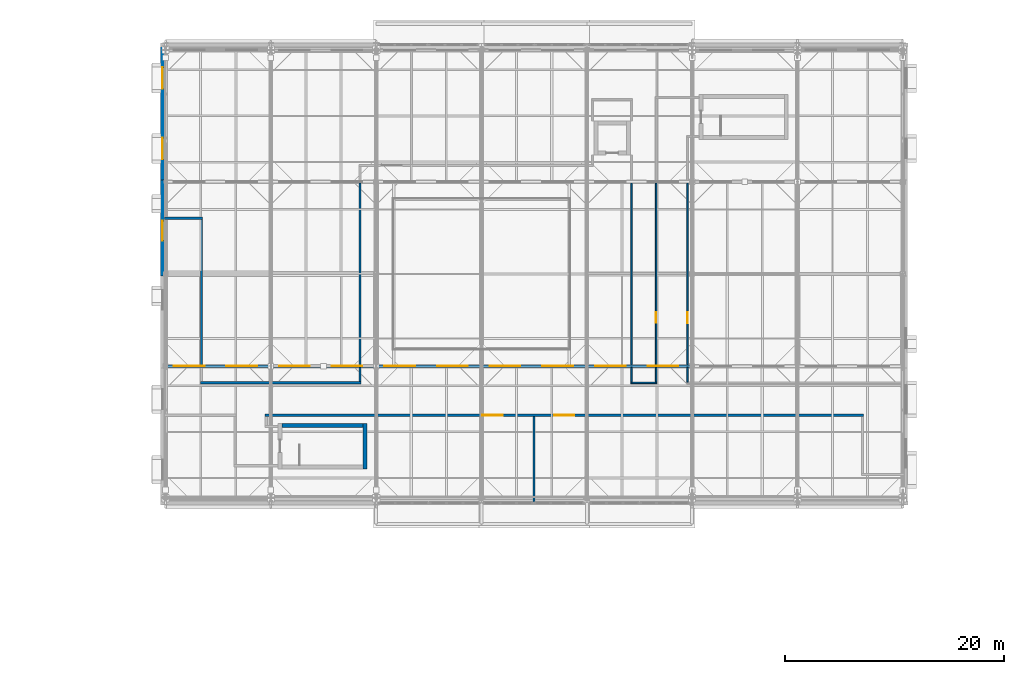
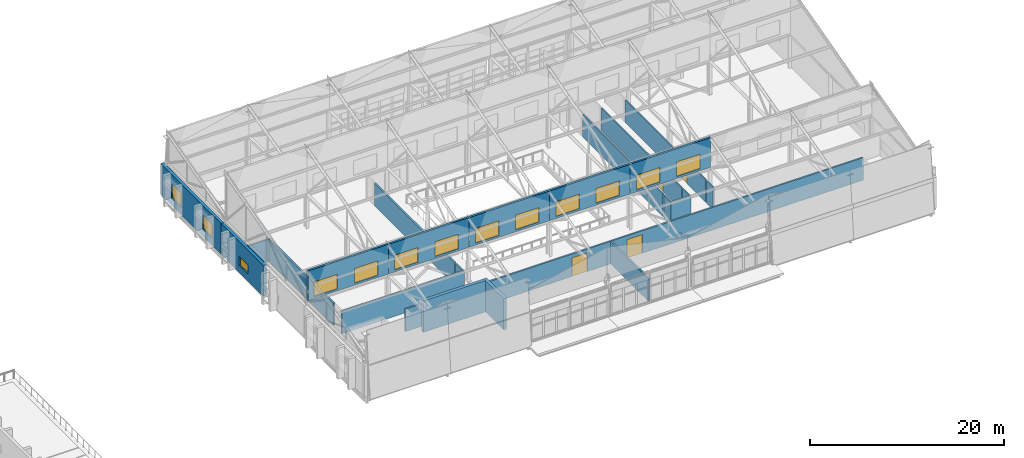
# One storey, part 80 of 89: 23 walls, 13 windows, 4 doors, 17 openings.
"""IFC4 building model written with IfcOpenShell, lengths in metres."""

from ifc_helpers import new_model, si_unit, direction, frame, frame_2d, origin, place, context, subcontext, project, spatial, rectangle, extrude, material, layer, layer_set, type_object, element, fill, save


model = new_model("IFC4")

# Units and contexts
model_context = context("Model", 3, precision=1e-05, world=origin(), true_north=direction((0.0, 1.0)))
body_context = subcontext(model_context, "Body", "Model", "MODEL_VIEW")
ifc_project = project(units=[si_unit("LENGTHUNIT", "METRE"), si_unit("AREAUNIT", "SQUARE_METRE"), si_unit("VOLUMEUNIT", "CUBIC_METRE"), si_unit("PLANEANGLEUNIT", "RADIAN"), si_unit("MASSUNIT", "GRAM", prefix="KILO")], contexts=[model_context])

# Site, building, storey
site_placement = place(None, origin())
site = spatial("IfcSite", under=ifc_project, at=site_placement, CompositionType="ELEMENT")
building_placement = place(site_placement, origin())
building = spatial("IfcBuilding", under=site, at=building_placement, Name="Zereglee Splitstone Museum", CompositionType="ELEMENT")
storey_placement = place(building_placement, frame((0.0, 0.0, 21.300048828125)))
storey = spatial("IfcBuildingStorey", under=building, at=storey_placement, Name="L04", CompositionType="ELEMENT", Elevation=21.300048828125)

# Walls
ifc_material_1 = material(Name="Concrete C45/55", Category="concrete")
ifc_layer_1 = layer(ifc_material_1, 0.360107421875)
ifc_layer_set_1 = layer_set([ifc_layer_1], Name="Concrete C45/55")
wall_type_1 = type_object("IfcWallType", Name="CSW-02", PredefinedType="SHEAR", material=ifc_layer_set_1)
wall_1_placement = place(storey_placement, frame((96.179931640625, 12.239990234375, 0.0), z_axis=(0.0, 0.0, 1.0), x_axis=(0.0, 1.0, 0.0)))
element("IfcWall", 1, at=wall_1_placement, inside=storey, type_object=wall_type_1, Name="Stair Core Shear Wall ST-06 L04 East", PredefinedType="SHEAR", context=body_context, shape_type="SweptSolid", body=[
    extrude(rectangle(XDim=4.1201171875, YDim=0.360107421875, at=frame_2d((2.06005859375, 0.0))), origin(), (0.0, 0.0, 1.0), 3.949951171875),
])
wall_2_placement = place(storey_placement, frame((88.60009765625, 16.179931640625, 0.0), z_axis=(0.0, 0.0, 1.0), x_axis=(1.0, 0.0, 0.0)))
element("IfcWall", 2, at=wall_2_placement, inside=storey, type_object=wall_type_1, Name="Stair Core Shear Wall ST-06 L04 North", PredefinedType="SHEAR", context=body_context, shape_type="SweptSolid", body=[
    extrude(rectangle(XDim=7.39990234375, YDim=0.360107421875, at=frame_2d((3.699951171875, 0.0))), origin(), (0.0, 0.0, 1.0), 3.949951171875),
])

# Wall, openings, windows
ifc_material_2 = material(Name="Precast concrete C40/50", Category="concrete")
ifc_layer_2 = layer(ifc_material_2, 0.35009765625)
ifc_layer_set_2 = layer_set([ifc_layer_2], Name="Precast concrete C40/50")
wall_type_2 = type_object("IfcWallType", Name="EW-01", PredefinedType="STANDARD", material=ifc_layer_set_2)
wall_3_placement = place(storey_placement, frame((77.719970703125, 51.06005859375, 0.0), z_axis=(0.0, 0.0, 1.0), x_axis=(0.0, -1.0, 0.0)))
wall_3 = element("IfcWall", 3, at=wall_3_placement, inside=storey, type_object=wall_type_2, Name="Exterior Backup Wall RC4-EW-L04-0234", PredefinedType="STANDARD", context=body_context, shape_type="SweptSolid", body=[
    extrude(rectangle(XDim=12.840087890625, YDim=0.35009765625, at=frame_2d((6.419921875, 0.0))), origin(), (0.0, 0.0, 1.0), 3.89990234375),
])
opening_1_placement = place(wall_3_placement, frame((2.235107421875, 0.0, 0.89990234375)))
opening_1 = element("IfcOpeningElement", 4, at=opening_1_placement, cuts=wall_3, Name="Opening EW-W19", PredefinedType="OPENING", context=body_context, shape_type="SweptSolid", body=[
    extrude(rectangle(XDim=1.949951171875, YDim=1.800048828125, at=frame_2d((0.97509765625, 0.89990234375))), frame((0.0, 0.18994140625, 0.0), z_axis=(0.0, -1.0, 0.0), x_axis=(1.0, 0.0, 0.0)), (0.0, 0.0, 1.0), 0.3798828125),
])
opening_2_placement = place(wall_3_placement, frame((8.655029296875, 0.0, 0.89990234375)))
opening_2 = element("IfcOpeningElement", 5, at=opening_2_placement, cuts=wall_3, Name="Opening EW-W19", PredefinedType="OPENING", context=body_context, shape_type="SweptSolid", body=[
    extrude(rectangle(XDim=1.949951171875, YDim=1.800048828125, at=frame_2d((0.97509765625, 0.89990234375))), frame((0.0, 0.18994140625, 0.0), z_axis=(0.0, -1.0, 0.0), x_axis=(1.0, 0.0, 0.0)), (0.0, 0.0, 1.0), 0.3798828125),
])
ifc_material_3 = material(Name="Thermally broken aluminium frame with triple low-e glazing", Category="aluminium")
window_type_1 = type_object("IfcWindowType", Name="EW-W19", PartitioningType="DOUBLE_PANEL_VERTICAL", PredefinedType="WINDOW", material=ifc_material_3)
window_1_placement = place(opening_1_placement, origin())
window_1 = element("IfcWindow", 6, at=window_1_placement, inside=storey, type_object=window_type_1, Name="Mughal Deep-Reveal Gallery Window L04-0147", OverallHeight=1.800048828125, OverallWidth=1.949951171875, PartitioningType="SINGLE_PANEL", PredefinedType="WINDOW", context=body_context, shape_type="SweptSolid", body=[
    extrude(rectangle(XDim=1.949951171875, YDim=1.800048828125, at=frame_2d((0.97509765625, 0.89990234375))), frame((0.0, 0.030029296875, 0.0), z_axis=(0.0, -1.0, 0.0), x_axis=(1.0, 0.0, 0.0)), (0.0, 0.0, 1.0), 0.06005859375),
])
fill(opening_1, window_1)
window_2_placement = place(opening_2_placement, origin())
window_2 = element("IfcWindow", 7, at=window_2_placement, inside=storey, type_object=window_type_1, Name="Mughal Deep-Reveal Gallery Window L04-0148", OverallHeight=1.800048828125, OverallWidth=1.949951171875, PartitioningType="SINGLE_PANEL", PredefinedType="WINDOW", context=body_context, shape_type="SweptSolid", body=[
    extrude(rectangle(XDim=1.949951171875, YDim=1.800048828125, at=frame_2d((0.97509765625, 0.89990234375))), frame((0.0, 0.030029296875, 0.0), z_axis=(0.0, -1.0, 0.0), x_axis=(1.0, 0.0, 0.0)), (0.0, 0.0, 1.0), 0.06005859375),
])
fill(opening_2, window_2)

# Wall, opening, window
wall_4_placement = place(storey_placement, frame((77.719970703125, 38.580078125, 0.0), z_axis=(0.0, 0.0, 1.0), x_axis=(0.0, -1.0, 0.0)))
wall_4 = element("IfcWall", 8, at=wall_4_placement, inside=storey, type_object=wall_type_2, Name="Exterior Backup Wall RC4-EW-L04-0235", PredefinedType="STANDARD", context=body_context, shape_type="SweptSolid", body=[
    extrude(rectangle(XDim=8.760009765625, YDim=0.35009765625, at=frame_2d((4.3798828125, 0.0))), origin(), (0.0, 0.0, 1.0), 3.89990234375),
])
opening_3_placement = place(wall_4_placement, frame((3.739990234375, 0.0, 0.89990234375)))
opening_3 = element("IfcOpeningElement", 9, at=opening_3_placement, cuts=wall_4, Name="Opening EW-W12", PredefinedType="OPENING", context=body_context, shape_type="SweptSolid", body=[
    extrude(rectangle(XDim=1.800048828125, YDim=1.10009765625, at=frame_2d((0.89990234375, 0.550048828125))), frame((0.0, 0.18994140625, 0.0), z_axis=(0.0, -1.0, 0.0), x_axis=(1.0, 0.0, 0.0)), (0.0, 0.0, 1.0), 0.3798828125),
])
window_type_2 = type_object("IfcWindowType", Name="EW-W12", PartitioningType="DOUBLE_PANEL_HORIZONTAL", PredefinedType="WINDOW", material=ifc_material_3)
window_3_placement = place(opening_3_placement, origin())
window_3 = element("IfcWindow", 10, at=window_3_placement, inside=storey, type_object=window_type_2, Name="Mughal Deep-Reveal Gallery Window L04-0149", OverallHeight=1.10009765625, OverallWidth=1.800048828125, PartitioningType="SINGLE_PANEL", PredefinedType="WINDOW", context=body_context, shape_type="SweptSolid", body=[
    extrude(rectangle(XDim=1.800048828125, YDim=1.10009765625, at=frame_2d((0.89990234375, 0.550048828125))), frame((0.0, 0.030029296875, 0.0), z_axis=(0.0, -1.0, 0.0), x_axis=(1.0, 0.0, 0.0)), (0.0, 0.0, 1.0), 0.06005859375),
])
fill(opening_3, window_3)

# Walls
ifc_material_4 = material(Name="Fire-rated gypsum board partition", Category="masonry")
ifc_layer_3 = layer(ifc_material_4, 0.139892578125)
ifc_layer_set_3 = layer_set([ifc_layer_3], Name="Fire-rated gypsum board partition")
wall_type_3 = type_object("IfcWallType", Name="IW-05", PredefinedType="PARTITIONING", material=ifc_layer_set_3)
wall_5_placement = place(storey_placement, frame((120.409912109375, 20.080078125, 0.0), z_axis=(0.0, 0.0, 1.0), x_axis=(1.0, 0.0, 0.0)))
element("IfcWall", 11, at=wall_5_placement, inside=storey, type_object=wall_type_3, Name="Interior Partition L04-0647 (Research Reading Room)", PredefinedType="PARTITIONING", context=body_context, shape_type="SweptSolid", body=[
    extrude(rectangle(XDim=2.380126953125, YDim=0.139892578125, at=frame_2d((1.18994140625, 0.0))), origin(), (0.0, 0.0, 1.0), 2.829833984375),
])
wall_6_placement = place(storey_placement, frame((120.47998046875, 20.14990234375, 0.0), z_axis=(0.0, 0.0, 1.0), x_axis=(0.0, 1.0, 0.0)))
element("IfcWall", 12, at=wall_6_placement, inside=storey, type_object=wall_type_3, Name="Interior Partition L04-0683 (Research Reading Room)", PredefinedType="PARTITIONING", context=body_context, shape_type="SweptSolid", body=[
    extrude(rectangle(XDim=1.330078125, YDim=0.139892578125, at=frame_2d((0.6650390625, 0.0))), origin(), (0.0, 0.0, 1.0), 2.829833984375),
])
wall_7_placement = place(storey_placement, frame((120.47998046875, 21.719970703125, 0.0), z_axis=(0.0, 0.0, 1.0), x_axis=(0.0, 1.0, 0.0)))
element("IfcWall", 13, at=wall_7_placement, inside=storey, type_object=wall_type_3, Name="Interior Partition L04-0684 (Research Reading Room)", PredefinedType="PARTITIONING", context=body_context, shape_type="SweptSolid", body=[
    extrude(rectangle(XDim=16.56005859375, YDim=0.139892578125, at=frame_2d((8.280029296875, 0.0))), origin(), (0.0, 0.0, 1.0), 2.829833984375),
])
wall_8_placement = place(storey_placement, frame((122.719970703125, 20.14990234375, 0.0), z_axis=(0.0, 0.0, 1.0), x_axis=(0.0, 1.0, 0.0)))
element("IfcWall", 14, at=wall_8_placement, inside=storey, type_object=wall_type_3, Name="Interior Partition L04-0687 (Research Reading Room)", PredefinedType="PARTITIONING", context=body_context, shape_type="SweptSolid", body=[
    extrude(rectangle(XDim=1.330078125, YDim=0.139892578125, at=frame_2d((0.6650390625, 0.0))), origin(), (0.0, 0.0, 1.0), 2.829833984375),
])

# Wall, opening, door
wall_9_placement = place(storey_placement, frame((122.719970703125, 21.719970703125, 0.0), z_axis=(0.0, 0.0, 1.0), x_axis=(0.0, 1.0, 0.0)))
wall_9 = element("IfcWall", 15, at=wall_9_placement, inside=storey, type_object=wall_type_3, Name="Interior Partition L04-0688 (Research Reading Room)", PredefinedType="PARTITIONING", context=body_context, shape_type="SweptSolid", body=[
    extrude(rectangle(XDim=16.56005859375, YDim=0.139892578125, at=frame_2d((8.280029296875, 0.0))), origin(), (0.0, 0.0, 1.0), 2.829833984375),
])
opening_4_placement = place(wall_9_placement, frame((3.83056640625, 0.0, 0.0)))
opening_4 = element("IfcOpeningElement", 16, at=opening_4_placement, cuts=wall_9, Name="Opening ID-11", PredefinedType="OPENING", context=body_context, shape_type="SweptSolid", body=[
    extrude(rectangle(XDim=0.949951171875, YDim=2.14990234375, at=frame_2d((0.47509765625, 1.074951171875))), frame((0.0, 0.0849609375, 0.0), z_axis=(0.0, -1.0, 0.0), x_axis=(1.0, 0.0, 0.0)), (0.0, 0.0, 1.0), 0.169677734375),
])
ifc_material_5 = material(Name="Siberian larch acoustic timber leaf in bronze-steel frame", Category="steel")
door_type_1 = type_object("IfcDoorType", Name="ID-11", OperationType="NOTDEFINED", PredefinedType="DOOR", material=ifc_material_5)
door_1_placement = place(opening_4_placement, origin())
door_1 = element("IfcDoor", 17, at=door_1_placement, inside=storey, type_object=door_type_1, Name="Interior Door L04-0114 (Research Reading Room)", OperationType="SINGLE_SWING_LEFT", OverallHeight=2.14990234375, OverallWidth=0.949951171875, PredefinedType="DOOR", context=body_context, shape_type="SweptSolid", body=[
    extrude(rectangle(XDim=0.949951171875, YDim=2.14990234375, at=frame_2d((0.47509765625, 1.074951171875))), frame((0.0, 0.02490234375, 0.0), z_axis=(0.0, -1.0, 0.0), x_axis=(1.0, 0.0, 0.0)), (0.0, 0.0, 1.0), 0.050048828125),
])
fill(opening_4, door_1)

# Wall
wall_10_placement = place(storey_placement, frame((125.580078125, 20.14990234375, 0.0), z_axis=(0.0, 0.0, 1.0), x_axis=(0.0, 1.0, 0.0)))
element("IfcWall", 18, at=wall_10_placement, inside=storey, type_object=wall_type_3, Name="Interior Partition L04-0691 (Curatorial Study Room)", PredefinedType="PARTITIONING", context=body_context, shape_type="SweptSolid", body=[
    extrude(rectangle(XDim=1.330078125, YDim=0.139892578125, at=frame_2d((0.6650390625, 0.0))), origin(), (0.0, 0.0, 1.0), 2.829833984375),
])

# Wall, opening, door
wall_11_placement = place(storey_placement, frame((125.580078125, 21.719970703125, 0.0), z_axis=(0.0, 0.0, 1.0), x_axis=(0.0, 1.0, 0.0)))
wall_11 = element("IfcWall", 19, at=wall_11_placement, inside=storey, type_object=wall_type_3, Name="Interior Partition L04-0692 (Curatorial Study Room)", PredefinedType="PARTITIONING", context=body_context, shape_type="SweptSolid", body=[
    extrude(rectangle(XDim=16.56005859375, YDim=0.139892578125, at=frame_2d((8.280029296875, 0.0))), origin(), (0.0, 0.0, 1.0), 2.829833984375),
])
opening_5_placement = place(wall_11_placement, frame((3.8056640625, 0.0, 0.0)))
opening_5 = element("IfcOpeningElement", 20, at=opening_5_placement, cuts=wall_11, Name="Opening ID-10", PredefinedType="OPENING", context=body_context, shape_type="SweptSolid", body=[
    extrude(rectangle(XDim=1.0, YDim=2.14990234375, at=frame_2d((0.5, 1.074951171875))), frame((0.0, 0.0849609375, 0.0), z_axis=(0.0, -1.0, 0.0), x_axis=(1.0, 0.0, 0.0)), (0.0, 0.0, 1.0), 0.169677734375),
])
door_type_2 = type_object("IfcDoorType", Name="ID-10", OperationType="NOTDEFINED", PredefinedType="DOOR", material=ifc_material_5)
door_2_placement = place(opening_5_placement, frame((1.0, 0.0, 0.0), z_axis=(0.0, 0.0, 1.0), x_axis=(-1.0, 0.0, 0.0)))
door_2 = element("IfcDoor", 21, at=door_2_placement, inside=storey, type_object=door_type_2, Name="Interior Door L04-0115 (Curatorial Study Room)", OperationType="SINGLE_SWING_RIGHT", OverallHeight=2.14990234375, OverallWidth=1.0, PredefinedType="DOOR", context=body_context, shape_type="SweptSolid", body=[
    extrude(rectangle(XDim=1.0, YDim=2.14990234375, at=frame_2d((0.5, 1.074951171875))), frame((0.0, 0.02490234375, 0.0), z_axis=(0.0, -1.0, 0.0), x_axis=(1.0, 0.0, 0.0)), (0.0, 0.0, 1.0), 0.050048828125),
])
fill(opening_5, door_2)

# Wall, openings, doors
ifc_material_6 = material(Name="Gypsum board on acoustic steel stud", Category="steel")
ifc_layer_4 = layer(ifc_material_6, 0.18994140625)
ifc_layer_set_4 = layer_set([ifc_layer_4], Name="Gypsum board on acoustic steel stud")
wall_type_4 = type_object("IfcWallType", Name="IW-02", PredefinedType="PARTITIONING", material=ifc_layer_set_4)
wall_12_placement = place(storey_placement, frame((87.0849609375, 17.1201171875, 0.0), z_axis=(0.0, 0.0, 1.0), x_axis=(1.0, 0.0, 0.0)))
wall_12 = element("IfcWall", 22, at=wall_12_placement, inside=storey, type_object=wall_type_4, Name="Interior Partition L04-0643 (Top-Lit Sawtooth Exhibition Hall)", PredefinedType="PARTITIONING", context=body_context, shape_type="SweptSolid", body=[
    extrude(rectangle(XDim=54.530029296875, YDim=0.18994140625, at=frame_2d((27.26513671875, 0.0))), origin(), (0.0, 0.0, 1.0), 2.829833984375),
])
opening_6_placement = place(wall_12_placement, frame((19.79638671875, 0.0, 0.0)))
opening_6 = element("IfcOpeningElement", 23, at=opening_6_placement, cuts=wall_12, Name="Opening ID-02", PredefinedType="OPENING", context=body_context, shape_type="SweptSolid", body=[
    extrude(rectangle(XDim=1.85009765625, YDim=2.35009765625, at=frame_2d((0.925048828125, 1.175048828125))), frame((0.0, 0.10986328125, 0.0), z_axis=(0.0, -1.0, 0.0), x_axis=(1.0, 0.0, 0.0)), (0.0, 0.0, 1.0), 0.2197265625),
])
opening_7_placement = place(wall_12_placement, frame((26.340087890625, 0.0, 0.0)))
opening_7 = element("IfcOpeningElement", 24, at=opening_7_placement, cuts=wall_12, Name="Opening ID-02", PredefinedType="OPENING", context=body_context, shape_type="SweptSolid", body=[
    extrude(rectangle(XDim=1.85009765625, YDim=2.35009765625, at=frame_2d((0.925048828125, 1.175048828125))), frame((0.0, 0.10986328125, 0.0), z_axis=(0.0, -1.0, 0.0), x_axis=(1.0, 0.0, 0.0)), (0.0, 0.0, 1.0), 0.2197265625),
])
ifc_material_7 = material(Name="Fire-rated steel and Siberian larch leaf", Category="steel")
door_type_3 = type_object("IfcDoorType", Name="ID-02", OperationType="NOTDEFINED", PredefinedType="DOOR", material=ifc_material_7)
door_3_placement = place(opening_6_placement, frame((1.85009765625, 0.0, 0.0), z_axis=(0.0, 0.0, 1.0), x_axis=(-1.0, 0.0, 0.0)))
door_3 = element("IfcDoor", 25, at=door_3_placement, inside=storey, type_object=door_type_3, Name="Interior Door L04-0111 (Top-Lit Sawtooth Exhibition Hall)", OperationType="DOUBLE_DOOR_SINGLE_SWING", OverallHeight=2.35009765625, OverallWidth=1.85009765625, PredefinedType="DOOR", context=body_context, shape_type="SweptSolid", body=[
    extrude(rectangle(XDim=1.85009765625, YDim=2.35009765625, at=frame_2d((0.925048828125, 1.175048828125))), frame((0.0, 0.02490234375, 0.0), z_axis=(0.0, -1.0, 0.0), x_axis=(1.0, 0.0, 0.0)), (0.0, 0.0, 1.0), 0.050048828125),
])
fill(opening_6, door_3)
door_4_placement = place(opening_7_placement, frame((1.85009765625, 0.0, 0.0), z_axis=(0.0, 0.0, 1.0), x_axis=(-1.0, 0.0, 0.0)))
door_4 = element("IfcDoor", 26, at=door_4_placement, inside=storey, type_object=door_type_3, Name="Interior Door L04-0112 (Contemporary Central Asian Art Gallery)", OperationType="DOUBLE_DOOR_SINGLE_SWING", OverallHeight=2.35009765625, OverallWidth=1.85009765625, PredefinedType="DOOR", context=body_context, shape_type="SweptSolid", body=[
    extrude(rectangle(XDim=1.85009765625, YDim=2.35009765625, at=frame_2d((0.925048828125, 1.175048828125))), frame((0.0, 0.02490234375, 0.0), z_axis=(0.0, -1.0, 0.0), x_axis=(1.0, 0.0, 0.0)), (0.0, 0.0, 1.0), 0.050048828125),
])
fill(opening_7, door_4)

# Walls
wall_13_placement = place(storey_placement, frame((81.18505859375, 20.080078125, 0.0), z_axis=(0.0, 0.0, 1.0), x_axis=(1.0, 0.0, 0.0)))
element("IfcWall", 27, at=wall_13_placement, inside=storey, type_object=wall_type_4, Name="Interior Partition L04-0646 (Temporary Exhibition Gallery)", PredefinedType="PARTITIONING", context=body_context, shape_type="SweptSolid", body=[
    extrude(rectangle(XDim=14.6298828125, YDim=0.18994140625, at=frame_2d((7.31494140625, 0.0))), origin(), (0.0, 0.0, 1.0), 2.829833984375),
])
wall_14_placement = place(storey_placement, frame((77.89501953125, 35.080078125, 0.0), z_axis=(0.0, 0.0, 1.0), x_axis=(1.0, 0.0, 0.0)))
element("IfcWall", 28, at=wall_14_placement, inside=storey, type_object=wall_type_4, Name="Interior Partition L04-0652 (Temporary Exhibition Gallery)", PredefinedType="PARTITIONING", context=body_context, shape_type="SweptSolid", body=[
    extrude(rectangle(XDim=3.47998046875, YDim=0.18994140625, at=frame_2d((1.739990234375, 0.0))), origin(), (0.0, 0.0, 1.0), 2.829833984375),
])
wall_15_placement = place(storey_placement, frame((81.280029296875, 21.719970703125, 0.0), z_axis=(0.0, 0.0, 1.0), x_axis=(0.0, 1.0, 0.0)))
element("IfcWall", 29, at=wall_15_placement, inside=storey, type_object=wall_type_4, Name="Interior Partition L04-0673 (Temporary Exhibition Gallery)", PredefinedType="PARTITIONING", context=body_context, shape_type="SweptSolid", body=[
    extrude(rectangle(XDim=13.26513671875, YDim=0.18994140625, at=frame_2d((6.632568359375, 0.0))), origin(), (0.0, 0.0, 1.0), 2.829833984375),
])
wall_16_placement = place(storey_placement, frame((95.719970703125, 20.175048828125, 0.0), z_axis=(0.0, 0.0, 1.0), x_axis=(0.0, 1.0, 0.0)))
element("IfcWall", 30, at=wall_16_placement, inside=storey, type_object=wall_type_4, Name="Interior Partition L04-0676 (Temporary Exhibition Gallery)", PredefinedType="PARTITIONING", context=body_context, shape_type="SweptSolid", body=[
    extrude(rectangle(XDim=1.304931640625, YDim=0.18994140625, at=frame_2d((0.65234375, 0.0))), origin(), (0.0, 0.0, 1.0), 2.829833984375),
])
wall_17_placement = place(storey_placement, frame((95.719970703125, 21.719970703125, 0.0), z_axis=(0.0, 0.0, 1.0), x_axis=(0.0, 1.0, 0.0)))
element("IfcWall", 31, at=wall_17_placement, inside=storey, type_object=wall_type_4, Name="Interior Partition L04-0677 (Temporary Exhibition Gallery)", PredefinedType="PARTITIONING", context=body_context, shape_type="SweptSolid", body=[
    extrude(rectangle(XDim=16.56005859375, YDim=0.18994140625, at=frame_2d((8.280029296875, 0.0))), origin(), (0.0, 0.0, 1.0), 2.829833984375),
])
wall_18_placement = place(storey_placement, frame((111.60009765625, 9.2099609375, 0.0), z_axis=(0.0, 0.0, 1.0), x_axis=(0.0, 1.0, 0.0)))
element("IfcWall", 32, at=wall_18_placement, inside=storey, type_object=wall_type_4, Name="Interior Partition L04-0680 (Top-Lit Sawtooth Exhibition Hall)", PredefinedType="PARTITIONING", context=body_context, shape_type="SweptSolid", body=[
    extrude(rectangle(XDim=7.81494140625, YDim=0.18994140625, at=frame_2d((3.907470703125, 0.0))), origin(), (0.0, 0.0, 1.0), 2.829833984375),
])

# Wall, openings, windows
ifc_layer_5 = layer(ifc_material_2, 0.239990234375)
ifc_layer_set_5 = layer_set([ifc_layer_5], Name="Precast concrete C40/50")
wall_type_5 = type_object("IfcWallType", Name="EW-04", PredefinedType="STANDARD", material=ifc_layer_set_5)
wall_19_placement = place(storey_placement, frame((78.0, 21.60009765625, 4.3798828125), z_axis=(0.0, 0.0, 1.0), x_axis=(1.0, 0.0, 0.0)))
wall_19 = element("IfcWall", 33, at=wall_19_placement, inside=storey, type_object=wall_type_5, Name="North-Light Monitor Wall B1-S1", PredefinedType="STANDARD", context=body_context, shape_type="SweptSolid", body=[
    extrude(rectangle(XDim=9.60009765625, YDim=0.239990234375, at=frame_2d((4.800048828125, 0.0))), origin(), (0.0, 0.0, 1.0), 3.739990234375),
])
opening_8_placement = place(wall_19_placement, frame((0.75, 0.0, 0.25)))
opening_8 = element("IfcOpeningElement", 34, at=opening_8_placement, cuts=wall_19, Name="Opening SK-01", PredefinedType="OPENING", context=body_context, shape_type="SweptSolid", body=[
    extrude(rectangle(XDim=2.800048828125, YDim=1.85009765625, at=frame_2d((1.39990234375, 0.925048828125))), frame((0.0, 0.134765625, 0.0), z_axis=(0.0, -1.0, 0.0), x_axis=(1.0, 0.0, 0.0)), (0.0, 0.0, 1.0), 0.269775390625),
])
opening_9_placement = place(wall_19_placement, frame((5.550048828125, 0.0, 0.25)))
opening_9 = element("IfcOpeningElement", 35, at=opening_9_placement, cuts=wall_19, Name="Opening SK-01", PredefinedType="OPENING", context=body_context, shape_type="SweptSolid", body=[
    extrude(rectangle(XDim=2.800048828125, YDim=1.85009765625, at=frame_2d((1.39990234375, 0.925048828125))), frame((0.0, 0.134765625, 0.0), z_axis=(0.0, -1.0, 0.0), x_axis=(1.0, 0.0, 0.0)), (0.0, 0.0, 1.0), 0.269775390625),
])
window_type_3 = type_object("IfcWindowType", Name="SK-01", PartitioningType="TRIPLE_PANEL_VERTICAL", PredefinedType="SKYLIGHT", material=ifc_material_3)
window_4_placement = place(opening_8_placement, origin())
window_4 = element("IfcWindow", 36, at=window_4_placement, inside=storey, type_object=window_type_3, Name="North-Light Sawtooth Skylight B1-S1-1", OverallHeight=1.85009765625, OverallWidth=2.800048828125, PartitioningType="SINGLE_PANEL", PredefinedType="SKYLIGHT", context=body_context, shape_type="SweptSolid", body=[
    extrude(rectangle(XDim=2.800048828125, YDim=1.85009765625, at=frame_2d((1.39990234375, 0.925048828125))), frame((0.0, 0.030029296875, 0.0), z_axis=(0.0, -1.0, 0.0), x_axis=(1.0, 0.0, 0.0)), (0.0, 0.0, 1.0), 0.06005859375),
])
fill(opening_8, window_4)
window_5_placement = place(opening_9_placement, origin())
window_5 = element("IfcWindow", 37, at=window_5_placement, inside=storey, type_object=window_type_3, Name="North-Light Sawtooth Skylight B1-S1-2", OverallHeight=1.85009765625, OverallWidth=2.800048828125, PartitioningType="SINGLE_PANEL", PredefinedType="SKYLIGHT", context=body_context, shape_type="SweptSolid", body=[
    extrude(rectangle(XDim=2.800048828125, YDim=1.85009765625, at=frame_2d((1.39990234375, 0.925048828125))), frame((0.0, 0.030029296875, 0.0), z_axis=(0.0, -1.0, 0.0), x_axis=(1.0, 0.0, 0.0)), (0.0, 0.0, 1.0), 0.06005859375),
])
fill(opening_9, window_5)

wall_20_placement = place(storey_placement, frame((87.60009765625, 21.60009765625, 4.3798828125), z_axis=(0.0, 0.0, 1.0), x_axis=(1.0, 0.0, 0.0)))
wall_20 = element("IfcWall", 38, at=wall_20_placement, inside=storey, type_object=wall_type_5, Name="North-Light Monitor Wall B2-S1", PredefinedType="STANDARD", context=body_context, shape_type="SweptSolid", body=[
    extrude(rectangle(XDim=9.599853515625, YDim=0.239990234375, at=frame_2d((4.7998046875, 0.0))), origin(), (0.0, 0.0, 1.0), 3.739990234375),
])
opening_10_placement = place(wall_20_placement, frame((0.75, 0.0, 0.25)))
opening_10 = element("IfcOpeningElement", 39, at=opening_10_placement, cuts=wall_20, Name="Opening SK-01", PredefinedType="OPENING", context=body_context, shape_type="SweptSolid", body=[
    extrude(rectangle(XDim=2.800048828125, YDim=1.85009765625, at=frame_2d((1.39990234375, 0.925048828125))), frame((0.0, 0.134765625, 0.0), z_axis=(0.0, -1.0, 0.0), x_axis=(1.0, 0.0, 0.0)), (0.0, 0.0, 1.0), 0.269775390625),
])
opening_11_placement = place(wall_20_placement, frame((5.550048828125, 0.0, 0.25)))
opening_11 = element("IfcOpeningElement", 40, at=opening_11_placement, cuts=wall_20, Name="Opening SK-01", PredefinedType="OPENING", context=body_context, shape_type="SweptSolid", body=[
    extrude(rectangle(XDim=2.800048828125, YDim=1.85009765625, at=frame_2d((1.39990234375, 0.925048828125))), frame((0.0, 0.134765625, 0.0), z_axis=(0.0, -1.0, 0.0), x_axis=(1.0, 0.0, 0.0)), (0.0, 0.0, 1.0), 0.269775390625),
])
window_6_placement = place(opening_10_placement, origin())
window_6 = element("IfcWindow", 41, at=window_6_placement, inside=storey, type_object=window_type_3, Name="North-Light Sawtooth Skylight B2-S1-1", OverallHeight=1.85009765625, OverallWidth=2.800048828125, PartitioningType="SINGLE_PANEL", PredefinedType="SKYLIGHT", context=body_context, shape_type="SweptSolid", body=[
    extrude(rectangle(XDim=2.800048828125, YDim=1.85009765625, at=frame_2d((1.39990234375, 0.925048828125))), frame((0.0, 0.030029296875, 0.0), z_axis=(0.0, -1.0, 0.0), x_axis=(1.0, 0.0, 0.0)), (0.0, 0.0, 1.0), 0.06005859375),
])
fill(opening_10, window_6)
window_7_placement = place(opening_11_placement, origin())
window_7 = element("IfcWindow", 42, at=window_7_placement, inside=storey, type_object=window_type_3, Name="North-Light Sawtooth Skylight B2-S1-2", OverallHeight=1.85009765625, OverallWidth=2.800048828125, PartitioningType="SINGLE_PANEL", PredefinedType="SKYLIGHT", context=body_context, shape_type="SweptSolid", body=[
    extrude(rectangle(XDim=2.800048828125, YDim=1.85009765625, at=frame_2d((1.39990234375, 0.925048828125))), frame((0.0, 0.030029296875, 0.0), z_axis=(0.0, -1.0, 0.0), x_axis=(1.0, 0.0, 0.0)), (0.0, 0.0, 1.0), 0.06005859375),
])
fill(opening_11, window_7)

wall_21_placement = place(storey_placement, frame((97.199951171875, 21.60009765625, 4.3798828125), z_axis=(0.0, 0.0, 1.0), x_axis=(1.0, 0.0, 0.0)))
wall_21 = element("IfcWall", 43, at=wall_21_placement, inside=storey, type_object=wall_type_5, Name="North-Light Monitor Wall B3-S1", PredefinedType="STANDARD", context=body_context, shape_type="SweptSolid", body=[
    extrude(rectangle(XDim=9.60009765625, YDim=0.239990234375, at=frame_2d((4.800048828125, 0.0))), origin(), (0.0, 0.0, 1.0), 3.739990234375),
])
opening_12_placement = place(wall_21_placement, frame((0.75, 0.0, 0.25)))
opening_12 = element("IfcOpeningElement", 44, at=opening_12_placement, cuts=wall_21, Name="Opening SK-01", PredefinedType="OPENING", context=body_context, shape_type="SweptSolid", body=[
    extrude(rectangle(XDim=2.800048828125, YDim=1.85009765625, at=frame_2d((1.39990234375, 0.925048828125))), frame((0.0, 0.134765625, 0.0), z_axis=(0.0, -1.0, 0.0), x_axis=(1.0, 0.0, 0.0)), (0.0, 0.0, 1.0), 0.269775390625),
])
opening_13_placement = place(wall_21_placement, frame((5.550048828125, 0.0, 0.25)))
opening_13 = element("IfcOpeningElement", 45, at=opening_13_placement, cuts=wall_21, Name="Opening SK-01", PredefinedType="OPENING", context=body_context, shape_type="SweptSolid", body=[
    extrude(rectangle(XDim=2.800048828125, YDim=1.85009765625, at=frame_2d((1.39990234375, 0.925048828125))), frame((0.0, 0.134765625, 0.0), z_axis=(0.0, -1.0, 0.0), x_axis=(1.0, 0.0, 0.0)), (0.0, 0.0, 1.0), 0.269775390625),
])
window_8_placement = place(opening_12_placement, origin())
window_8 = element("IfcWindow", 46, at=window_8_placement, inside=storey, type_object=window_type_3, Name="North-Light Sawtooth Skylight B3-S1-1", OverallHeight=1.85009765625, OverallWidth=2.800048828125, PartitioningType="SINGLE_PANEL", PredefinedType="SKYLIGHT", context=body_context, shape_type="SweptSolid", body=[
    extrude(rectangle(XDim=2.800048828125, YDim=1.85009765625, at=frame_2d((1.39990234375, 0.925048828125))), frame((0.0, 0.030029296875, 0.0), z_axis=(0.0, -1.0, 0.0), x_axis=(1.0, 0.0, 0.0)), (0.0, 0.0, 1.0), 0.06005859375),
])
fill(opening_12, window_8)
window_9_placement = place(opening_13_placement, origin())
window_9 = element("IfcWindow", 47, at=window_9_placement, inside=storey, type_object=window_type_3, Name="North-Light Sawtooth Skylight B3-S1-2", OverallHeight=1.85009765625, OverallWidth=2.800048828125, PartitioningType="SINGLE_PANEL", PredefinedType="SKYLIGHT", context=body_context, shape_type="SweptSolid", body=[
    extrude(rectangle(XDim=2.800048828125, YDim=1.85009765625, at=frame_2d((1.39990234375, 0.925048828125))), frame((0.0, 0.030029296875, 0.0), z_axis=(0.0, -1.0, 0.0), x_axis=(1.0, 0.0, 0.0)), (0.0, 0.0, 1.0), 0.06005859375),
])
fill(opening_13, window_9)

wall_22_placement = place(storey_placement, frame((106.800048828125, 21.60009765625, 4.3798828125), z_axis=(0.0, 0.0, 1.0), x_axis=(1.0, 0.0, 0.0)))
wall_22 = element("IfcWall", 48, at=wall_22_placement, inside=storey, type_object=wall_type_5, Name="North-Light Monitor Wall B4-S1", PredefinedType="STANDARD", context=body_context, shape_type="SweptSolid", body=[
    extrude(rectangle(XDim=9.599853515625, YDim=0.239990234375, at=frame_2d((4.7998046875, 0.0))), origin(), (0.0, 0.0, 1.0), 3.739990234375),
])
opening_14_placement = place(wall_22_placement, frame((0.75, 0.0, 0.25)))
opening_14 = element("IfcOpeningElement", 49, at=opening_14_placement, cuts=wall_22, Name="Opening SK-01", PredefinedType="OPENING", context=body_context, shape_type="SweptSolid", body=[
    extrude(rectangle(XDim=2.800048828125, YDim=1.85009765625, at=frame_2d((1.39990234375, 0.925048828125))), frame((0.0, 0.134765625, 0.0), z_axis=(0.0, -1.0, 0.0), x_axis=(1.0, 0.0, 0.0)), (0.0, 0.0, 1.0), 0.269775390625),
])
opening_15_placement = place(wall_22_placement, frame((5.550048828125, 0.0, 0.25)))
opening_15 = element("IfcOpeningElement", 50, at=opening_15_placement, cuts=wall_22, Name="Opening SK-01", PredefinedType="OPENING", context=body_context, shape_type="SweptSolid", body=[
    extrude(rectangle(XDim=2.800048828125, YDim=1.85009765625, at=frame_2d((1.39990234375, 0.925048828125))), frame((0.0, 0.134765625, 0.0), z_axis=(0.0, -1.0, 0.0), x_axis=(1.0, 0.0, 0.0)), (0.0, 0.0, 1.0), 0.269775390625),
])
window_10_placement = place(opening_14_placement, origin())
window_10 = element("IfcWindow", 51, at=window_10_placement, inside=storey, type_object=window_type_3, Name="North-Light Sawtooth Skylight B4-S1-1", OverallHeight=1.85009765625, OverallWidth=2.800048828125, PartitioningType="SINGLE_PANEL", PredefinedType="SKYLIGHT", context=body_context, shape_type="SweptSolid", body=[
    extrude(rectangle(XDim=2.800048828125, YDim=1.85009765625, at=frame_2d((1.39990234375, 0.925048828125))), frame((0.0, 0.030029296875, 0.0), z_axis=(0.0, -1.0, 0.0), x_axis=(1.0, 0.0, 0.0)), (0.0, 0.0, 1.0), 0.06005859375),
])
fill(opening_14, window_10)
window_11_placement = place(opening_15_placement, origin())
window_11 = element("IfcWindow", 52, at=window_11_placement, inside=storey, type_object=window_type_3, Name="North-Light Sawtooth Skylight B4-S1-2", OverallHeight=1.85009765625, OverallWidth=2.800048828125, PartitioningType="SINGLE_PANEL", PredefinedType="SKYLIGHT", context=body_context, shape_type="SweptSolid", body=[
    extrude(rectangle(XDim=2.800048828125, YDim=1.85009765625, at=frame_2d((1.39990234375, 0.925048828125))), frame((0.0, 0.030029296875, 0.0), z_axis=(0.0, -1.0, 0.0), x_axis=(1.0, 0.0, 0.0)), (0.0, 0.0, 1.0), 0.06005859375),
])
fill(opening_15, window_11)

wall_23_placement = place(storey_placement, frame((116.39990234375, 21.60009765625, 4.3798828125), z_axis=(0.0, 0.0, 1.0), x_axis=(1.0, 0.0, 0.0)))
wall_23 = element("IfcWall", 53, at=wall_23_placement, inside=storey, type_object=wall_type_5, Name="North-Light Monitor Wall B5-S1", PredefinedType="STANDARD", context=body_context, shape_type="SweptSolid", body=[
    extrude(rectangle(XDim=9.60009765625, YDim=0.239990234375, at=frame_2d((4.800048828125, 0.0))), origin(), (0.0, 0.0, 1.0), 3.739990234375),
])
opening_16_placement = place(wall_23_placement, frame((0.75, 0.0, 0.25)))
opening_16 = element("IfcOpeningElement", 54, at=opening_16_placement, cuts=wall_23, Name="Opening SK-01", PredefinedType="OPENING", context=body_context, shape_type="SweptSolid", body=[
    extrude(rectangle(XDim=2.800048828125, YDim=1.85009765625, at=frame_2d((1.39990234375, 0.925048828125))), frame((0.0, 0.134765625, 0.0), z_axis=(0.0, -1.0, 0.0), x_axis=(1.0, 0.0, 0.0)), (0.0, 0.0, 1.0), 0.269775390625),
])
opening_17_placement = place(wall_23_placement, frame((5.550048828125, 0.0, 0.25)))
opening_17 = element("IfcOpeningElement", 55, at=opening_17_placement, cuts=wall_23, Name="Opening SK-01", PredefinedType="OPENING", context=body_context, shape_type="SweptSolid", body=[
    extrude(rectangle(XDim=2.800048828125, YDim=1.85009765625, at=frame_2d((1.39990234375, 0.925048828125))), frame((0.0, 0.134765625, 0.0), z_axis=(0.0, -1.0, 0.0), x_axis=(1.0, 0.0, 0.0)), (0.0, 0.0, 1.0), 0.269775390625),
])
window_12_placement = place(opening_16_placement, origin())
window_12 = element("IfcWindow", 56, at=window_12_placement, inside=storey, type_object=window_type_3, Name="North-Light Sawtooth Skylight B5-S1-1", OverallHeight=1.85009765625, OverallWidth=2.800048828125, PartitioningType="SINGLE_PANEL", PredefinedType="SKYLIGHT", context=body_context, shape_type="SweptSolid", body=[
    extrude(rectangle(XDim=2.800048828125, YDim=1.85009765625, at=frame_2d((1.39990234375, 0.925048828125))), frame((0.0, 0.030029296875, 0.0), z_axis=(0.0, -1.0, 0.0), x_axis=(1.0, 0.0, 0.0)), (0.0, 0.0, 1.0), 0.06005859375),
])
fill(opening_16, window_12)
window_13_placement = place(opening_17_placement, origin())
window_13 = element("IfcWindow", 57, at=window_13_placement, inside=storey, type_object=window_type_3, Name="North-Light Sawtooth Skylight B5-S1-2", OverallHeight=1.85009765625, OverallWidth=2.800048828125, PartitioningType="SINGLE_PANEL", PredefinedType="SKYLIGHT", context=body_context, shape_type="SweptSolid", body=[
    extrude(rectangle(XDim=2.800048828125, YDim=1.85009765625, at=frame_2d((1.39990234375, 0.925048828125))), frame((0.0, 0.030029296875, 0.0), z_axis=(0.0, -1.0, 0.0), x_axis=(1.0, 0.0, 0.0)), (0.0, 0.0, 1.0), 0.06005859375),
])
fill(opening_17, window_13)

save(model, "model.ifc")
